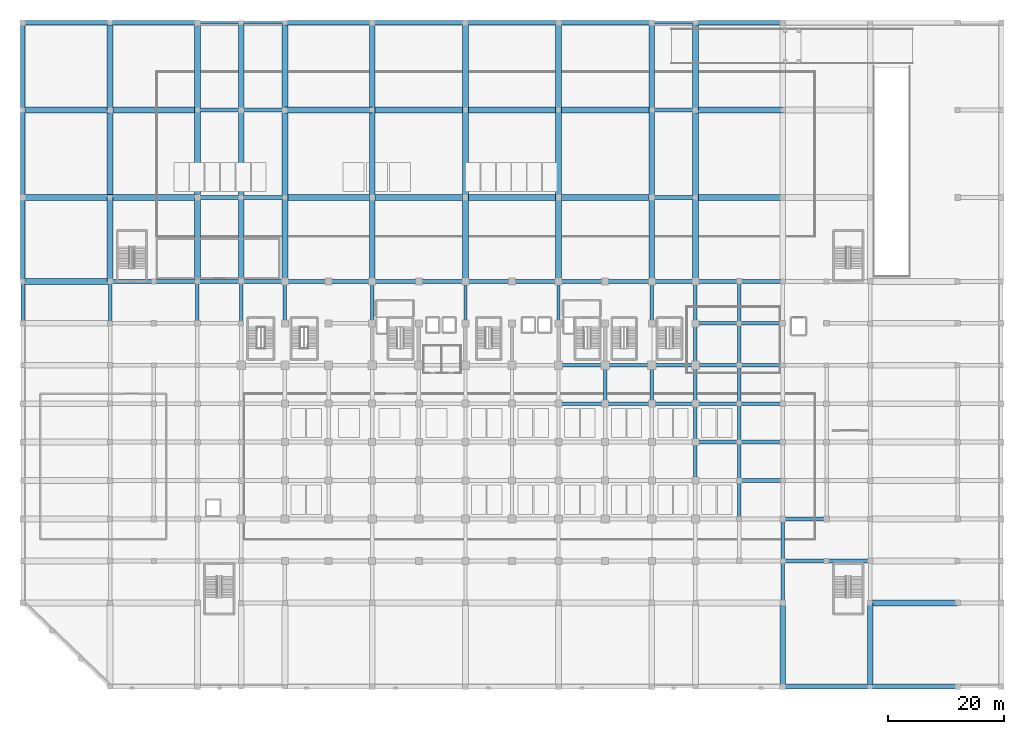
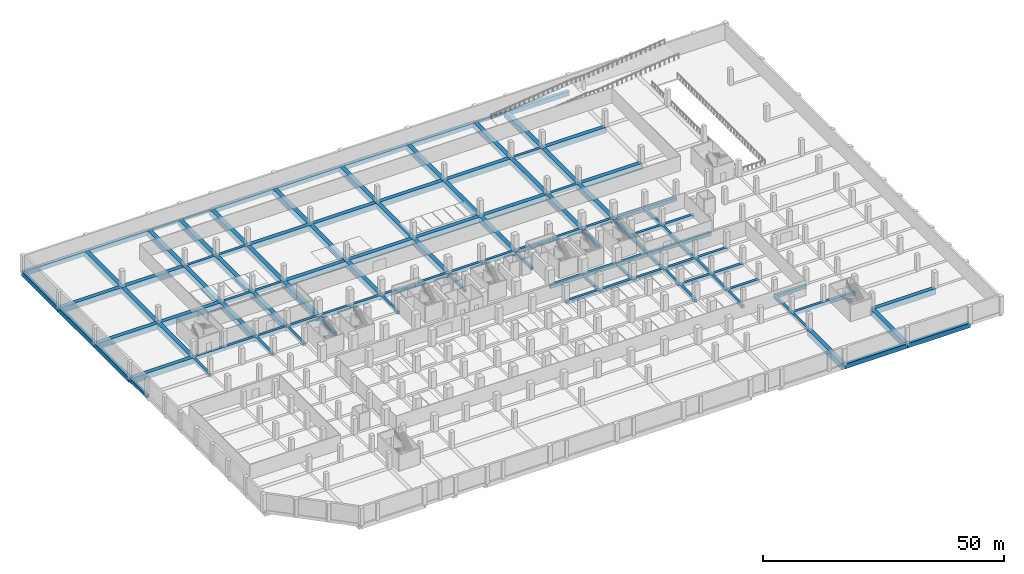
# One storey, part 4 of 25: 123 beams.
"""IFC4 building model written with IfcOpenShell, lengths in metres."""

import ifcopenshell
import ifcopenshell.guid

model = None  # the IFC model being written
_history = None  # IfcOwnerHistory: only IFC2X3 demands one
_inside = {}  # id of a spatial element -> (the spatial element, [elements in it])
_under = {}  # id of a project, library or spatial element -> (it, [spatial elements below it])
_declared = {}  # id of a project -> (the project, [libraries it declares])
_typed = {}  # id of a type object -> (the type object, [elements of that type])
_made_of = {}  # id of a material, layer set ... -> (it, [elements and type objects made of it])


def new_model(schema):
    """Start an empty IFC model of exactly this schema.

    Asked for "IFC4X3", IfcOpenShell would pick the latest addendum, in which some entities
    have other attributes; the version numbers below select the first issue.
    IFC2X3 requires an IfcOwnerHistory on every rooted entity: one is made here for all.
    """
    global model, _history
    if schema == "IFC4X3":
        model = ifcopenshell.file(schema_version=(4, 3, 0, 0))
    else:
        model = ifcopenshell.file(schema=schema)
    _inside.clear()
    _under.clear()
    _declared.clear()
    _typed.clear()
    _made_of.clear()
    _history = None
    if model.schema == "IFC2X3":
        org = make("IfcOrganization", Name="unknown")
        user = make(
            "IfcPersonAndOrganization",
            ThePerson=make("IfcPerson", FamilyName="unknown"),
            TheOrganization=org,
        )
        app = make(
            "IfcApplication",
            ApplicationDeveloper=org,
            Version="unknown",
            ApplicationFullName="unknown",
            ApplicationIdentifier="unknown",
        )
        _history = make(
            "IfcOwnerHistory",
            OwningUser=user,
            OwningApplication=app,
            ChangeAction="ADDED",
            CreationDate=0,
        )
    return model


def make(cls, **values):
    """One entity of the class cls with the attributes given. An attribute that is None is left unset."""
    return model.create_entity(
        cls, **{name: value for name, value in values.items() if value is not None}
    )


def rooted(cls, **values):
    """An entity with a GlobalId (a new one), such as an element, a storey or a relation."""
    return make(cls, GlobalId=ifcopenshell.guid.new(), OwnerHistory=_history, **values)


def si_unit(unit_type, name, prefix=None):
    """IfcSIUnit, for example si_unit("LENGTHUNIT", "METRE", prefix="MILLI")."""
    return make("IfcSIUnit", UnitType=unit_type, Prefix=prefix, Name=name)


def assignment(units):
    """IfcUnitAssignment: the units of a project."""
    return None if units is None else make("IfcUnitAssignment", Units=units)


def point(xyz):
    """IfcCartesianPoint."""
    return None if xyz is None else make("IfcCartesianPoint", Coordinates=xyz)


def direction(xyz):
    """IfcDirection."""
    return None if xyz is None else make("IfcDirection", DirectionRatios=xyz)


def frame(location, z_axis=None, x_axis=None):
    """IfcAxis2Placement3D, a coordinate frame: its origin and axes. An axis left out is left unset."""
    return make(
        "IfcAxis2Placement3D",
        Location=point(location),
        Axis=direction(z_axis),
        RefDirection=direction(x_axis),
    )


def frame_2d(location, x_axis=None):
    """IfcAxis2Placement2D, a coordinate frame in the plane: its origin and x axis."""
    return make(
        "IfcAxis2Placement2D", Location=point(location), RefDirection=direction(x_axis)
    )


def origin():
    """The frame at (0, 0, 0) with its axes left unset."""
    return frame((0.0, 0.0, 0.0))


def origin_2d():
    """The frame at (0, 0) in the plane with its x axis left unset."""
    return frame_2d((0.0, 0.0))


def place(relative_to, where):
    """IfcLocalPlacement: puts the frame where relative to a parent placement (None: the world)."""
    return make(
        "IfcLocalPlacement", PlacementRelTo=relative_to, RelativePlacement=where
    )


def context(
    kind, dimensions, precision=None, world=None, true_north=None, identifier=None
):
    """IfcGeometricRepresentationContext, for example the 3D "Model" context."""
    return make(
        "IfcGeometricRepresentationContext",
        ContextIdentifier=identifier,
        ContextType=kind,
        CoordinateSpaceDimension=dimensions,
        Precision=precision,
        WorldCoordinateSystem=world,
        TrueNorth=true_north,
    )


def subcontext(parent, identifier, kind, view, scale=None):
    """IfcGeometricRepresentationSubContext, for example "Body" below "Model"."""
    return make(
        "IfcGeometricRepresentationSubContext",
        ContextIdentifier=identifier,
        ContextType=kind,
        ParentContext=parent,
        TargetScale=scale,
        TargetView=view,
    )


def project(units=None, contexts=None):
    """IfcProject with its units and contexts."""
    return rooted(
        "IfcProject",
        Name="project",
        RepresentationContexts=contexts,
        UnitsInContext=assignment(units),
    )


def spatial(cls, under=None, at=None, **own):
    """A site, building, storey or space (cls), placed at a placement, below another one or the project."""
    s = rooted(cls, ObjectPlacement=at, **own)
    if under is not None:
        _under.setdefault(under.id(), (under, []))[1].append(s)
    return s


def profile(cls, at=None, kind="AREA", **sizes):
    """A parametric profile (cls). Its sizes go by their IFC names, for example OverallWidth=200.0."""
    return make(cls, ProfileType=kind, Position=at, **sizes)


def rectangle(**sizes):
    """IfcRectangleProfileDef."""
    return profile("IfcRectangleProfileDef", **sizes)


def extrude(swept, where, along, depth):
    """IfcExtrudedAreaSolid: the profile swept, set in the frame where, extruded along a direction by depth."""
    return make(
        "IfcExtrudedAreaSolid",
        SweptArea=swept,
        Position=where,
        ExtrudedDirection=direction(along),
        Depth=depth,
    )


def shape(context_of_items, identifier, shape_type, items):
    """IfcShapeRepresentation: the items that make up one representation, for example the "Body"."""
    return make(
        "IfcShapeRepresentation",
        ContextOfItems=context_of_items,
        RepresentationIdentifier=identifier,
        RepresentationType=shape_type,
        Items=items,
    )


def material(Name=None, Category=None):
    """IfcMaterial."""
    return make("IfcMaterial", Name=Name, Category=Category)


def material_profile(
    of_material, cross_section, Name=None, Category=None, Priority=None
):
    """IfcMaterialProfile: a cross section and its material."""
    return make(
        "IfcMaterialProfile",
        Name=Name,
        Material=of_material,
        Profile=cross_section,
        Priority=Priority,
        Category=Category,
    )


def profile_set(profiles, Name=None, composite=None):
    """IfcMaterialProfileSet."""
    return make(
        "IfcMaterialProfileSet",
        Name=Name,
        MaterialProfiles=profiles,
        CompositeProfile=composite,
    )


def made_of(thing, what):
    """Note that an element or type object is made of a material, layer set ...; save() writes the relation."""
    if what is not None:
        _made_of.setdefault(what.id(), (what, []))[1].append(thing)
    return thing


def type_object(cls, material=None, **own):
    """A type object (cls), such as IfcWallType, which elements share."""
    return made_of(rooted(cls, **own), material)


def element(
    cls,
    number,
    at=None,
    inside=None,
    cuts=None,
    type_object=None,
    material=None,
    context=None,
    identifier="Body",
    shape_type=None,
    held_by="IfcProductDefinitionShape",
    body=None,
    shapes=None,
    **own,
):
    """One element of the class cls, such as IfcWall. Its Tag is "e" and its number.

    at: its placement. inside: the storey or other place that contains it. cuts: it is an
    opening in that element (IfcRelVoidsElement). A single representation is given by context,
    identifier, shape_type and body (its items); several are given by shapes. held_by: the class
    of the entity that holds the representations. save() writes the other relations.
    """
    e = rooted(cls, Tag="e%d" % number, ObjectPlacement=at, **own)
    if body is not None:
        shapes = [shape(context, identifier, shape_type, body)]
    if shapes is not None:
        e.Representation = make(held_by, Representations=shapes)
    if inside is not None:
        _inside.setdefault(inside.id(), (inside, []))[1].append(e)
    if cuts is not None:
        rooted(
            "IfcRelVoidsElement", RelatingBuildingElement=cuts, RelatedOpeningElement=e
        )
    if type_object is not None:
        _typed.setdefault(type_object.id(), (type_object, []))[1].append(e)
    return made_of(e, material)


def aggregate(whole, parts):
    """IfcRelAggregates: a whole, such as a stair, and the parts it consists of."""
    return rooted("IfcRelAggregates", RelatingObject=whole, RelatedObjects=parts)


def save(model, path):
    """Write the relations noted so far, then the file.

    IfcRelAggregates (storeys below a building ...), IfcRelContainedInSpatialStructure (elements
    in a storey), IfcRelDefinesByType, IfcRelAssociatesMaterial and IfcRelDeclares: one each for
    every whole, place, type object, material and project.
    """
    for whole, parts in _under.values():
        aggregate(whole, parts)
    for where, things in _inside.values():
        rooted(
            "IfcRelContainedInSpatialStructure",
            RelatedElements=things,
            RelatingStructure=where,
        )
    for kind, things in _typed.values():
        rooted("IfcRelDefinesByType", RelatedObjects=things, RelatingType=kind)
    for what, things in _made_of.values():
        rooted("IfcRelAssociatesMaterial", RelatedObjects=things, RelatingMaterial=what)
    for by, libraries in _declared.values():
        rooted("IfcRelDeclares", RelatingContext=by, RelatedDefinitions=libraries)
    model.write(path)


model = new_model("IFC4")

# Units and contexts
model_context = context("Model", 3, precision=1e-05, world=origin(), true_north=direction((0.0, 1.0)))
body_context = subcontext(model_context, "Body", "Model", "MODEL_VIEW")
ifc_project = project(units=[si_unit("LENGTHUNIT", "METRE"), si_unit("AREAUNIT", "SQUARE_METRE"), si_unit("VOLUMEUNIT", "CUBIC_METRE"), si_unit("PLANEANGLEUNIT", "RADIAN"), si_unit("MASSUNIT", "GRAM", prefix="KILO")], contexts=[model_context])

# Site, building, storey
site_placement = place(None, origin())
site = spatial("IfcSite", under=ifc_project, at=site_placement, CompositionType="ELEMENT")
building_placement = place(site_placement, origin())
building = spatial("IfcBuilding", under=site, at=building_placement, Name="Akrevak Sports Hall", CompositionType="ELEMENT")
storey_placement = place(building_placement, frame((0.0, 0.0, -4.5)))
storey = spatial("IfcBuildingStorey", under=building, at=storey_placement, Name="B01", CompositionType="ELEMENT", Elevation=-4.5)

# Beams
ifc_material_1 = material(Name="Concrete C50/60", Category="concrete")
ifc_material_profile_1 = material_profile(ifc_material_1, rectangle(XDim=1.0, YDim=1.449951171875, at=origin_2d()), Name="BM 1000x1450", Category="concrete")
ifc_profile_set_1 = profile_set([ifc_material_profile_1], Name="Concrete C50/60")
beam_type_1 = type_object("IfcBeamType", Name="STR-BM-LG1000x1450", PredefinedType="BEAM", material=ifc_profile_set_1)
for number, where, z_axis, x_axis, name in (
    (1, (145.5, 14.39990234375, -0.72509765625), (1.0, 0.0, 0.0), (0.0, 1.0, 0.0), "Girder C/20-22 (B01)"),
    (2, (0.0, 69.60009765625, -0.72509765625), (1.0, 0.0, 0.0), (0.0, 1.0, 0.0), "Girder K/1-3 (B01)"),
    (3, (0.0, 84.0, -0.72509765625), (1.0, 0.0, 0.0), (0.0, 1.0, 0.0), "Girder M/1-3 (B01)"),
    (4, (15.0, 84.0, -0.72509765625), (1.0, 0.0, 0.0), (0.0, 1.0, 0.0), "Girder M/3-5 (B01)"),
    (5, (45.0, 84.0, -0.72509765625), (1.0, 0.0, 0.0), (0.0, 1.0, 0.0), "Girder M/7-9 (B01)"),
):
    element("IfcBeam", number, at=place(storey_placement, frame(where, z_axis=z_axis, x_axis=x_axis)), inside=storey, type_object=beam_type_1, Name=name, PredefinedType="BEAM", context=body_context, shape_type="SweptSolid", body=[
        extrude(rectangle(XDim=1.0, YDim=1.449951171875, at=origin_2d()), origin(), (0.0, 0.0, 1.0), 15.0),
    ])
for number, where, z_axis, x_axis, name in (
    (6, (60.0, 84.0, -0.72509765625), (1.0, 0.0, 0.0), (0.0, 1.0, 0.0), "Girder M/9-11 (B01)"),
    (7, (76.0, 84.0, -0.72509765625), (1.0, 0.0, 0.0), (0.0, 1.0, 0.0), "Girder M/11-13 (B01)"),
    (8, (92.0, 84.0, -0.72509765625), (1.0, 0.0, 0.0), (0.0, 1.0, 0.0), "Girder M/13-15 (B01)"),
):
    element("IfcBeam", number, at=place(storey_placement, frame(where, z_axis=z_axis, x_axis=x_axis)), inside=storey, type_object=beam_type_1, Name=name, PredefinedType="BEAM", context=body_context, shape_type="SweptSolid", body=[
        extrude(rectangle(XDim=1.0, YDim=1.449951171875, at=origin_2d()), origin(), (0.0, 0.0, 1.0), 16.0),
    ])
for number, where, z_axis, x_axis, name in (
    (9, (115.5, 84.0, -0.72509765625), (1.0, 0.0, 0.0), (0.0, 1.0, 0.0), "Girder M/16-18 (B01)"),
    (10, (0.0, 99.0, -0.72509765625), (1.0, 0.0, 0.0), (0.0, 1.0, 0.0), "Girder O/1-3 (B01)"),
    (11, (15.0, 99.0, -0.72509765625), (1.0, 0.0, 0.0), (0.0, 1.0, 0.0), "Girder O/3-5 (B01)"),
    (12, (45.0, 99.0, -0.72509765625), (1.0, 0.0, 0.0), (0.0, 1.0, 0.0), "Girder O/7-9 (B01)"),
):
    element("IfcBeam", number, at=place(storey_placement, frame(where, z_axis=z_axis, x_axis=x_axis)), inside=storey, type_object=beam_type_1, Name=name, PredefinedType="BEAM", context=body_context, shape_type="SweptSolid", body=[
        extrude(rectangle(XDim=1.0, YDim=1.449951171875, at=origin_2d()), origin(), (0.0, 0.0, 1.0), 15.0),
    ])
for number, where, z_axis, x_axis, name in (
    (13, (60.0, 99.0, -0.72509765625), (1.0, 0.0, 0.0), (0.0, 1.0, 0.0), "Girder O/9-11 (B01)"),
    (14, (76.0, 99.0, -0.72509765625), (1.0, 0.0, 0.0), (0.0, 1.0, 0.0), "Girder O/11-13 (B01)"),
    (15, (92.0, 99.0, -0.72509765625), (1.0, 0.0, 0.0), (0.0, 1.0, 0.0), "Girder O/13-15 (B01)"),
):
    element("IfcBeam", number, at=place(storey_placement, frame(where, z_axis=z_axis, x_axis=x_axis)), inside=storey, type_object=beam_type_1, Name=name, PredefinedType="BEAM", context=body_context, shape_type="SweptSolid", body=[
        extrude(rectangle(XDim=1.0, YDim=1.449951171875, at=origin_2d()), origin(), (0.0, 0.0, 1.0), 16.0),
    ])
beam_1_placement = place(storey_placement, frame((115.5, 99.0, -0.72509765625), z_axis=(1.0, 0.0, 0.0), x_axis=(0.0, 1.0, 0.0)))
element("IfcBeam", 16, at=beam_1_placement, inside=storey, type_object=beam_type_1, Name="Girder O/16-18 (B01)", PredefinedType="BEAM", context=body_context, shape_type="SweptSolid", body=[
    extrude(rectangle(XDim=1.0, YDim=1.449951171875, at=origin_2d()), origin(), (0.0, 0.0, 1.0), 15.0),
])
beam_2_placement = place(storey_placement, frame((15.0, 69.60009765625, -0.72509765625), z_axis=(0.0, 1.0, 0.0), x_axis=(-1.0, 0.0, 0.0)))
element("IfcBeam", 17, at=beam_2_placement, inside=storey, type_object=beam_type_1, Name="Girder 3/K-M (B01)", PredefinedType="BEAM", context=body_context, shape_type="SweptSolid", body=[
    extrude(rectangle(XDim=1.0, YDim=1.449951171875, at=origin_2d()), origin(), (0.0, 0.0, 1.0), 14.39990234375),
])
for number, where, z_axis, x_axis, name in (
    (18, (15.0, 84.0, -0.72509765625), (0.0, 1.0, 0.0), (-1.0, 0.0, 0.0), "Girder 3/M-O (B01)"),
    (19, (15.0, 99.0, -0.72509765625), (0.0, 1.0, 0.0), (-1.0, 0.0, 0.0), "Girder 3/O-Q (B01)"),
):
    element("IfcBeam", number, at=place(storey_placement, frame(where, z_axis=z_axis, x_axis=x_axis)), inside=storey, type_object=beam_type_1, Name=name, PredefinedType="BEAM", context=body_context, shape_type="SweptSolid", body=[
        extrude(rectangle(XDim=1.0, YDim=1.449951171875, at=origin_2d()), origin(), (0.0, 0.0, 1.0), 15.0),
    ])
beam_3_placement = place(storey_placement, frame((30.0, 69.60009765625, -0.72509765625), z_axis=(0.0, 1.0, 0.0), x_axis=(-1.0, 0.0, 0.0)))
element("IfcBeam", 20, at=beam_3_placement, inside=storey, type_object=beam_type_1, Name="Girder 5/K-M (B01)", PredefinedType="BEAM", context=body_context, shape_type="SweptSolid", body=[
    extrude(rectangle(XDim=1.0, YDim=1.449951171875, at=origin_2d()), origin(), (0.0, 0.0, 1.0), 14.39990234375),
])
for number, where, z_axis, x_axis, name in (
    (21, (30.0, 84.0, -0.72509765625), (0.0, 1.0, 0.0), (-1.0, 0.0, 0.0), "Girder 5/M-O (B01)"),
    (22, (30.0, 99.0, -0.72509765625), (0.0, 1.0, 0.0), (-1.0, 0.0, 0.0), "Girder 5/O-Q (B01)"),
):
    element("IfcBeam", number, at=place(storey_placement, frame(where, z_axis=z_axis, x_axis=x_axis)), inside=storey, type_object=beam_type_1, Name=name, PredefinedType="BEAM", context=body_context, shape_type="SweptSolid", body=[
        extrude(rectangle(XDim=1.0, YDim=1.449951171875, at=origin_2d()), origin(), (0.0, 0.0, 1.0), 15.0),
    ])
beam_4_placement = place(storey_placement, frame((37.5, 69.60009765625, -0.72509765625), z_axis=(0.0, 1.0, 0.0), x_axis=(-1.0, 0.0, 0.0)))
element("IfcBeam", 23, at=beam_4_placement, inside=storey, type_object=beam_type_1, Name="Girder 6/K-M (B01)", PredefinedType="BEAM", context=body_context, shape_type="SweptSolid", body=[
    extrude(rectangle(XDim=1.0, YDim=1.449951171875, at=origin_2d()), origin(), (0.0, 0.0, 1.0), 14.39990234375),
])
for number, where, z_axis, x_axis, name in (
    (24, (37.5, 84.0, -0.72509765625), (0.0, 1.0, 0.0), (-1.0, 0.0, 0.0), "Girder 6/M-O (B01)"),
    (25, (37.5, 99.0, -0.72509765625), (0.0, 1.0, 0.0), (-1.0, 0.0, 0.0), "Girder 6/O-Q (B01)"),
):
    element("IfcBeam", number, at=place(storey_placement, frame(where, z_axis=z_axis, x_axis=x_axis)), inside=storey, type_object=beam_type_1, Name=name, PredefinedType="BEAM", context=body_context, shape_type="SweptSolid", body=[
        extrude(rectangle(XDim=1.0, YDim=1.449951171875, at=origin_2d()), origin(), (0.0, 0.0, 1.0), 15.0),
    ])
beam_5_placement = place(storey_placement, frame((45.0, 69.60009765625, -0.72509765625), z_axis=(0.0, 1.0, 0.0), x_axis=(-1.0, 0.0, 0.0)))
element("IfcBeam", 26, at=beam_5_placement, inside=storey, type_object=beam_type_1, Name="Girder 7/K-M (B01)", PredefinedType="BEAM", context=body_context, shape_type="SweptSolid", body=[
    extrude(rectangle(XDim=1.0, YDim=1.449951171875, at=origin_2d()), origin(), (0.0, 0.0, 1.0), 14.39990234375),
])
for number, where, z_axis, x_axis, name in (
    (27, (45.0, 84.0, -0.72509765625), (0.0, 1.0, 0.0), (-1.0, 0.0, 0.0), "Girder 7/M-O (B01)"),
    (28, (45.0, 99.0, -0.72509765625), (0.0, 1.0, 0.0), (-1.0, 0.0, 0.0), "Girder 7/O-Q (B01)"),
):
    element("IfcBeam", number, at=place(storey_placement, frame(where, z_axis=z_axis, x_axis=x_axis)), inside=storey, type_object=beam_type_1, Name=name, PredefinedType="BEAM", context=body_context, shape_type="SweptSolid", body=[
        extrude(rectangle(XDim=1.0, YDim=1.449951171875, at=origin_2d()), origin(), (0.0, 0.0, 1.0), 15.0),
    ])
beam_6_placement = place(storey_placement, frame((60.0, 69.60009765625, -0.72509765625), z_axis=(0.0, 1.0, 0.0), x_axis=(-1.0, 0.0, 0.0)))
element("IfcBeam", 29, at=beam_6_placement, inside=storey, type_object=beam_type_1, Name="Girder 9/K-M (B01)", PredefinedType="BEAM", context=body_context, shape_type="SweptSolid", body=[
    extrude(rectangle(XDim=1.0, YDim=1.449951171875, at=origin_2d()), origin(), (0.0, 0.0, 1.0), 14.39990234375),
])
for number, where, z_axis, x_axis, name in (
    (30, (60.0, 84.0, -0.72509765625), (0.0, 1.0, 0.0), (-1.0, 0.0, 0.0), "Girder 9/M-O (B01)"),
    (31, (60.0, 99.0, -0.72509765625), (0.0, 1.0, 0.0), (-1.0, 0.0, 0.0), "Girder 9/O-Q (B01)"),
):
    element("IfcBeam", number, at=place(storey_placement, frame(where, z_axis=z_axis, x_axis=x_axis)), inside=storey, type_object=beam_type_1, Name=name, PredefinedType="BEAM", context=body_context, shape_type="SweptSolid", body=[
        extrude(rectangle(XDim=1.0, YDim=1.449951171875, at=origin_2d()), origin(), (0.0, 0.0, 1.0), 15.0),
    ])
beam_7_placement = place(storey_placement, frame((76.0, 69.60009765625, -0.72509765625), z_axis=(0.0, 1.0, 0.0), x_axis=(-1.0, 0.0, 0.0)))
element("IfcBeam", 32, at=beam_7_placement, inside=storey, type_object=beam_type_1, Name="Girder 11/K-M (B01)", PredefinedType="BEAM", context=body_context, shape_type="SweptSolid", body=[
    extrude(rectangle(XDim=1.0, YDim=1.449951171875, at=origin_2d()), origin(), (0.0, 0.0, 1.0), 14.39990234375),
])
for number, where, z_axis, x_axis, name in (
    (33, (76.0, 84.0, -0.72509765625), (0.0, 1.0, 0.0), (-1.0, 0.0, 0.0), "Girder 11/M-O (B01)"),
    (34, (76.0, 99.0, -0.72509765625), (0.0, 1.0, 0.0), (-1.0, 0.0, 0.0), "Girder 11/O-Q (B01)"),
):
    element("IfcBeam", number, at=place(storey_placement, frame(where, z_axis=z_axis, x_axis=x_axis)), inside=storey, type_object=beam_type_1, Name=name, PredefinedType="BEAM", context=body_context, shape_type="SweptSolid", body=[
        extrude(rectangle(XDim=1.0, YDim=1.449951171875, at=origin_2d()), origin(), (0.0, 0.0, 1.0), 15.0),
    ])
beam_8_placement = place(storey_placement, frame((92.0, 69.60009765625, -0.72509765625), z_axis=(0.0, 1.0, 0.0), x_axis=(-1.0, 0.0, 0.0)))
element("IfcBeam", 35, at=beam_8_placement, inside=storey, type_object=beam_type_1, Name="Girder 13/K-M (B01)", PredefinedType="BEAM", context=body_context, shape_type="SweptSolid", body=[
    extrude(rectangle(XDim=1.0, YDim=1.449951171875, at=origin_2d()), origin(), (0.0, 0.0, 1.0), 14.39990234375),
])
for number, where, z_axis, x_axis, name in (
    (36, (92.0, 84.0, -0.72509765625), (0.0, 1.0, 0.0), (-1.0, 0.0, 0.0), "Girder 13/M-O (B01)"),
    (37, (92.0, 99.0, -0.72509765625), (0.0, 1.0, 0.0), (-1.0, 0.0, 0.0), "Girder 13/O-Q (B01)"),
):
    element("IfcBeam", number, at=place(storey_placement, frame(where, z_axis=z_axis, x_axis=x_axis)), inside=storey, type_object=beam_type_1, Name=name, PredefinedType="BEAM", context=body_context, shape_type="SweptSolid", body=[
        extrude(rectangle(XDim=1.0, YDim=1.449951171875, at=origin_2d()), origin(), (0.0, 0.0, 1.0), 15.0),
    ])
beam_9_placement = place(storey_placement, frame((108.0, 69.60009765625, -0.72509765625), z_axis=(0.0, 1.0, 0.0), x_axis=(-1.0, 0.0, 0.0)))
element("IfcBeam", 38, at=beam_9_placement, inside=storey, type_object=beam_type_1, Name="Girder 15/K-M (B01)", PredefinedType="BEAM", context=body_context, shape_type="SweptSolid", body=[
    extrude(rectangle(XDim=1.0, YDim=1.449951171875, at=origin_2d()), origin(), (0.0, 0.0, 1.0), 14.39990234375),
])
for number, where, z_axis, x_axis, name in (
    (39, (108.0, 84.0, -0.72509765625), (0.0, 1.0, 0.0), (-1.0, 0.0, 0.0), "Girder 15/M-O (B01)"),
    (40, (108.0, 99.0, -0.72509765625), (0.0, 1.0, 0.0), (-1.0, 0.0, 0.0), "Girder 15/O-Q (B01)"),
):
    element("IfcBeam", number, at=place(storey_placement, frame(where, z_axis=z_axis, x_axis=x_axis)), inside=storey, type_object=beam_type_1, Name=name, PredefinedType="BEAM", context=body_context, shape_type="SweptSolid", body=[
        extrude(rectangle(XDim=1.0, YDim=1.449951171875, at=origin_2d()), origin(), (0.0, 0.0, 1.0), 15.0),
    ])
beam_10_placement = place(storey_placement, frame((115.5, 69.60009765625, -0.72509765625), z_axis=(0.0, 1.0, 0.0), x_axis=(-1.0, 0.0, 0.0)))
element("IfcBeam", 41, at=beam_10_placement, inside=storey, type_object=beam_type_1, Name="Girder 16/K-M (B01)", PredefinedType="BEAM", context=body_context, shape_type="SweptSolid", body=[
    extrude(rectangle(XDim=1.0, YDim=1.449951171875, at=origin_2d()), origin(), (0.0, 0.0, 1.0), 14.39990234375),
])
for number, where, z_axis, x_axis, name in (
    (42, (115.5, 84.0, -0.72509765625), (0.0, 1.0, 0.0), (-1.0, 0.0, 0.0), "Girder 16/M-O (B01)"),
    (43, (115.5, 99.0, -0.72509765625), (0.0, 1.0, 0.0), (-1.0, 0.0, 0.0), "Girder 16/O-Q (B01)"),
):
    element("IfcBeam", number, at=place(storey_placement, frame(where, z_axis=z_axis, x_axis=x_axis)), inside=storey, type_object=beam_type_1, Name=name, PredefinedType="BEAM", context=body_context, shape_type="SweptSolid", body=[
        extrude(rectangle(XDim=1.0, YDim=1.449951171875, at=origin_2d()), origin(), (0.0, 0.0, 1.0), 15.0),
    ])
for number, where, z_axis, x_axis, name in (
    (44, (130.5, 0.0, -0.72509765625), (0.0, 1.0, 0.0), (-1.0, 0.0, 0.0), "Girder 18/A-C (B01)"),
    (45, (145.5, 0.0, -0.72509765625), (0.0, 1.0, 0.0), (-1.0, 0.0, 0.0), "Girder 20/A-C (B01)"),
):
    element("IfcBeam", number, at=place(storey_placement, frame(where, z_axis=z_axis, x_axis=x_axis)), inside=storey, type_object=beam_type_1, Name=name, PredefinedType="BEAM", context=body_context, shape_type="SweptSolid", body=[
        extrude(rectangle(XDim=1.0, YDim=1.449951171875, at=origin_2d()), origin(), (0.0, 0.0, 1.0), 14.39990234375),
    ])
ifc_material_2 = material(Name="Concrete C40/50", Category="concrete")
ifc_material_profile_2 = material_profile(ifc_material_2, rectangle(XDim=0.60009765625, YDim=0.85009765625, at=origin_2d()), Name="BM 600x850", Category="concrete")
ifc_profile_set_2 = profile_set([ifc_material_profile_2], Name="Concrete C40/50")
beam_type_2 = type_object("IfcBeamType", Name="STR-BM-RC600x850", PredefinedType="BEAM", material=ifc_profile_set_2)
for number, where, z_axis, x_axis, name in (
    (46, (0.0, 62.39990234375, -0.425048828125), (0.0, 1.0, 0.0), (-1.0, 0.0, 0.0), "Girder 1/J-K (B01)"),
    (47, (15.0, 62.39990234375, -0.425048828125), (0.0, 1.0, 0.0), (-1.0, 0.0, 0.0), "Girder 3/J-K (B01)"),
    (48, (30.0, 62.39990234375, -0.425048828125), (0.0, 1.0, 0.0), (-1.0, 0.0, 0.0), "Girder 5/J-K (B01)"),
    (49, (37.5, 62.39990234375, -0.425048828125), (0.0, 1.0, 0.0), (-1.0, 0.0, 0.0), "Girder 6/J-K (B01)"),
    (50, (45.0, 62.39990234375, -0.425048828125), (0.0, 1.0, 0.0), (-1.0, 0.0, 0.0), "Girder 7/J-K (B01)"),
):
    element("IfcBeam", number, at=place(storey_placement, frame(where, z_axis=z_axis, x_axis=x_axis)), inside=storey, type_object=beam_type_2, Name=name, PredefinedType="BEAM", context=body_context, shape_type="SweptSolid", body=[
        extrude(rectangle(XDim=0.60009765625, YDim=0.85009765625, at=origin_2d()), origin(), (0.0, 0.0, 1.0), 7.2001953125),
    ])
for number, where, z_axis, x_axis, name in (
    (51, (115.5, 35.39990234375, -0.425048828125), (0.0, 1.0, 0.0), (-1.0, 0.0, 0.0), "Girder 16/F-G (B01)"),
    (52, (115.5, 42.0, -0.425048828125), (0.0, 1.0, 0.0), (-1.0, 0.0, 0.0), "Girder 16/G-H (B01)"),
):
    element("IfcBeam", number, at=place(storey_placement, frame(where, z_axis=z_axis, x_axis=x_axis)), inside=storey, type_object=beam_type_2, Name=name, PredefinedType="BEAM", context=body_context, shape_type="SweptSolid", body=[
        extrude(rectangle(XDim=0.60009765625, YDim=0.85009765625, at=origin_2d()), origin(), (0.0, 0.0, 1.0), 6.60009765625),
    ])
beam_11_placement = place(storey_placement, frame((115.5, 48.60009765625, -0.425048828125), z_axis=(0.0, 1.0, 0.0), x_axis=(-1.0, 0.0, 0.0)))
element("IfcBeam", 53, at=beam_11_placement, inside=storey, type_object=beam_type_2, Name="Girder 16/H-I (B01)", PredefinedType="BEAM", context=body_context, shape_type="SweptSolid", body=[
    extrude(rectangle(XDim=0.60009765625, YDim=0.85009765625, at=origin_2d()), origin(), (0.0, 0.0, 1.0), 6.599853515625),
])
beam_12_placement = place(storey_placement, frame((115.5, 55.199951171875, -0.425048828125), z_axis=(0.0, 1.0, 0.0), x_axis=(-1.0, 0.0, 0.0)))
element("IfcBeam", 54, at=beam_12_placement, inside=storey, type_object=beam_type_2, Name="Girder 16/I-J (B01)", PredefinedType="BEAM", context=body_context, shape_type="SweptSolid", body=[
    extrude(rectangle(XDim=0.60009765625, YDim=0.85009765625, at=origin_2d()), origin(), (0.0, 0.0, 1.0), 7.199951171875),
])
beam_13_placement = place(storey_placement, frame((115.5, 62.39990234375, -0.425048828125), z_axis=(0.0, 1.0, 0.0), x_axis=(-1.0, 0.0, 0.0)))
element("IfcBeam", 55, at=beam_13_placement, inside=storey, type_object=beam_type_2, Name="Girder 16/J-K (B01)", PredefinedType="BEAM", context=body_context, shape_type="SweptSolid", body=[
    extrude(rectangle(XDim=0.60009765625, YDim=0.85009765625, at=origin_2d()), origin(), (0.0, 0.0, 1.0), 7.2001953125),
])
beam_14_placement = place(storey_placement, frame((123.0, 28.800048828125, -0.425048828125), z_axis=(0.0, 1.0, 0.0), x_axis=(-1.0, 0.0, 0.0)))
element("IfcBeam", 56, at=beam_14_placement, inside=storey, type_object=beam_type_2, Name="Girder 17/E-F (B01)", PredefinedType="BEAM", context=body_context, shape_type="SweptSolid", body=[
    extrude(rectangle(XDim=0.60009765625, YDim=0.85009765625, at=origin_2d()), origin(), (0.0, 0.0, 1.0), 6.599853515625),
])
for number, where, z_axis, x_axis, name in (
    (57, (123.0, 35.39990234375, -0.425048828125), (0.0, 1.0, 0.0), (-1.0, 0.0, 0.0), "Girder 17/F-G (B01)"),
    (58, (123.0, 42.0, -0.425048828125), (0.0, 1.0, 0.0), (-1.0, 0.0, 0.0), "Girder 17/G-H (B01)"),
):
    element("IfcBeam", number, at=place(storey_placement, frame(where, z_axis=z_axis, x_axis=x_axis)), inside=storey, type_object=beam_type_2, Name=name, PredefinedType="BEAM", context=body_context, shape_type="SweptSolid", body=[
        extrude(rectangle(XDim=0.60009765625, YDim=0.85009765625, at=origin_2d()), origin(), (0.0, 0.0, 1.0), 6.60009765625),
    ])
beam_15_placement = place(storey_placement, frame((123.0, 48.60009765625, -0.425048828125), z_axis=(0.0, 1.0, 0.0), x_axis=(-1.0, 0.0, 0.0)))
element("IfcBeam", 59, at=beam_15_placement, inside=storey, type_object=beam_type_2, Name="Girder 17/H-I (B01)", PredefinedType="BEAM", context=body_context, shape_type="SweptSolid", body=[
    extrude(rectangle(XDim=0.60009765625, YDim=0.85009765625, at=origin_2d()), origin(), (0.0, 0.0, 1.0), 6.599853515625),
])
beam_16_placement = place(storey_placement, frame((123.0, 55.199951171875, -0.425048828125), z_axis=(0.0, 1.0, 0.0), x_axis=(-1.0, 0.0, 0.0)))
element("IfcBeam", 60, at=beam_16_placement, inside=storey, type_object=beam_type_2, Name="Girder 17/I-J (B01)", PredefinedType="BEAM", context=body_context, shape_type="SweptSolid", body=[
    extrude(rectangle(XDim=0.60009765625, YDim=0.85009765625, at=origin_2d()), origin(), (0.0, 0.0, 1.0), 7.199951171875),
])
for number, where, z_axis, x_axis, name in (
    (61, (123.0, 62.39990234375, -0.425048828125), (0.0, 1.0, 0.0), (-1.0, 0.0, 0.0), "Girder 17/J-K (B01)"),
    (62, (130.5, 14.39990234375, -0.425048828125), (0.0, 1.0, 0.0), (-1.0, 0.0, 0.0), "Girder 18/C-D (B01)"),
):
    element("IfcBeam", number, at=place(storey_placement, frame(where, z_axis=z_axis, x_axis=x_axis)), inside=storey, type_object=beam_type_2, Name=name, PredefinedType="BEAM", context=body_context, shape_type="SweptSolid", body=[
        extrude(rectangle(XDim=0.60009765625, YDim=0.85009765625, at=origin_2d()), origin(), (0.0, 0.0, 1.0), 7.2001953125),
    ])
beam_17_placement = place(storey_placement, frame((130.5, 21.60009765625, -0.425048828125), z_axis=(0.0, 1.0, 0.0), x_axis=(-1.0, 0.0, 0.0)))
element("IfcBeam", 63, at=beam_17_placement, inside=storey, type_object=beam_type_2, Name="Girder 18/D-E (B01)", PredefinedType="BEAM", context=body_context, shape_type="SweptSolid", body=[
    extrude(rectangle(XDim=0.60009765625, YDim=0.85009765625, at=origin_2d()), origin(), (0.0, 0.0, 1.0), 7.199951171875),
])
ifc_material_profile_3 = material_profile(ifc_material_2, rectangle(XDim=0.64990234375, YDim=0.89990234375, at=origin_2d()), Name="BM 650x900", Category="concrete")
ifc_profile_set_3 = profile_set([ifc_material_profile_3], Name="Concrete C40/50")
beam_type_3 = type_object("IfcBeamType", Name="STR-BM-RC650x900", PredefinedType="BEAM", material=ifc_profile_set_3)
for number, where, z_axis, x_axis, name in (
    (64, (130.5, 21.60009765625, -0.449951171875), (1.0, 0.0, 0.0), (0.0, 1.0, 0.0), "Girder D/18-19 (B01)"),
    (65, (138.0, 21.60009765625, -0.449951171875), (1.0, 0.0, 0.0), (0.0, 1.0, 0.0), "Girder D/19-20 (B01)"),
    (66, (130.5, 28.800048828125, -0.449951171875), (1.0, 0.0, 0.0), (0.0, 1.0, 0.0), "Girder E/18-19 (B01)"),
    (67, (123.0, 35.39990234375, -0.449951171875), (1.0, 0.0, 0.0), (0.0, 1.0, 0.0), "Girder F/17-18 (B01)"),
    (68, (115.5, 42.0, -0.449951171875), (1.0, 0.0, 0.0), (0.0, 1.0, 0.0), "Girder G/16-17 (B01)"),
    (69, (123.0, 42.0, -0.449951171875), (1.0, 0.0, 0.0), (0.0, 1.0, 0.0), "Girder G/17-18 (B01)"),
):
    element("IfcBeam", number, at=place(storey_placement, frame(where, z_axis=z_axis, x_axis=x_axis)), inside=storey, type_object=beam_type_3, Name=name, PredefinedType="BEAM", context=body_context, shape_type="SweptSolid", body=[
        extrude(rectangle(XDim=0.64990234375, YDim=0.89990234375, at=origin_2d()), origin(), (0.0, 0.0, 1.0), 7.5),
    ])
for number, where, z_axis, x_axis, name in (
    (70, (92.0, 48.60009765625, -0.449951171875), (1.0, 0.0, 0.0), (0.0, 1.0, 0.0), "Girder H/13-14 (B01)"),
    (71, (100.0, 48.60009765625, -0.449951171875), (1.0, 0.0, 0.0), (0.0, 1.0, 0.0), "Girder H/14-15 (B01)"),
):
    element("IfcBeam", number, at=place(storey_placement, frame(where, z_axis=z_axis, x_axis=x_axis)), inside=storey, type_object=beam_type_3, Name=name, PredefinedType="BEAM", context=body_context, shape_type="SweptSolid", body=[
        extrude(rectangle(XDim=0.64990234375, YDim=0.89990234375, at=origin_2d()), origin(), (0.0, 0.0, 1.0), 8.0),
    ])
for number, where, z_axis, x_axis, name in (
    (72, (108.0, 48.60009765625, -0.449951171875), (1.0, 0.0, 0.0), (0.0, 1.0, 0.0), "Girder H/15-16 (B01)"),
    (73, (115.5, 48.60009765625, -0.449951171875), (1.0, 0.0, 0.0), (0.0, 1.0, 0.0), "Girder H/16-17 (B01)"),
    (74, (123.0, 48.60009765625, -0.449951171875), (1.0, 0.0, 0.0), (0.0, 1.0, 0.0), "Girder H/17-18 (B01)"),
):
    element("IfcBeam", number, at=place(storey_placement, frame(where, z_axis=z_axis, x_axis=x_axis)), inside=storey, type_object=beam_type_3, Name=name, PredefinedType="BEAM", context=body_context, shape_type="SweptSolid", body=[
        extrude(rectangle(XDim=0.64990234375, YDim=0.89990234375, at=origin_2d()), origin(), (0.0, 0.0, 1.0), 7.5),
    ])
for number, where, z_axis, x_axis, name in (
    (75, (92.0, 55.199951171875, -0.449951171875), (1.0, 0.0, 0.0), (0.0, 1.0, 0.0), "Girder I/13-14 (B01)"),
    (76, (100.0, 55.199951171875, -0.449951171875), (1.0, 0.0, 0.0), (0.0, 1.0, 0.0), "Girder I/14-15 (B01)"),
):
    element("IfcBeam", number, at=place(storey_placement, frame(where, z_axis=z_axis, x_axis=x_axis)), inside=storey, type_object=beam_type_3, Name=name, PredefinedType="BEAM", context=body_context, shape_type="SweptSolid", body=[
        extrude(rectangle(XDim=0.64990234375, YDim=0.89990234375, at=origin_2d()), origin(), (0.0, 0.0, 1.0), 8.0),
    ])
for number, where, z_axis, x_axis, name in (
    (77, (108.0, 55.199951171875, -0.449951171875), (1.0, 0.0, 0.0), (0.0, 1.0, 0.0), "Girder I/15-16 (B01)"),
    (78, (115.5, 55.199951171875, -0.449951171875), (1.0, 0.0, 0.0), (0.0, 1.0, 0.0), "Girder I/16-17 (B01)"),
    (79, (123.0, 55.199951171875, -0.449951171875), (1.0, 0.0, 0.0), (0.0, 1.0, 0.0), "Girder I/17-18 (B01)"),
    (80, (115.5, 62.39990234375, -0.449951171875), (1.0, 0.0, 0.0), (0.0, 1.0, 0.0), "Girder J/16-17 (B01)"),
    (81, (123.0, 62.39990234375, -0.449951171875), (1.0, 0.0, 0.0), (0.0, 1.0, 0.0), "Girder J/17-18 (B01)"),
    (82, (15.0, 69.60009765625, -0.449951171875), (1.0, 0.0, 0.0), (0.0, 1.0, 0.0), "Girder K/3-4 (B01)"),
    (83, (22.5, 69.60009765625, -0.449951171875), (1.0, 0.0, 0.0), (0.0, 1.0, 0.0), "Girder K/4-5 (B01)"),
    (84, (30.0, 69.60009765625, -0.449951171875), (1.0, 0.0, 0.0), (0.0, 1.0, 0.0), "Girder K/5-6 (B01)"),
    (85, (37.5, 69.60009765625, -0.449951171875), (1.0, 0.0, 0.0), (0.0, 1.0, 0.0), "Girder K/6-7 (B01)"),
    (86, (45.0, 69.60009765625, -0.449951171875), (1.0, 0.0, 0.0), (0.0, 1.0, 0.0), "Girder K/7-8 (B01)"),
    (87, (52.5, 69.60009765625, -0.449951171875), (1.0, 0.0, 0.0), (0.0, 1.0, 0.0), "Girder K/8-9 (B01)"),
):
    element("IfcBeam", number, at=place(storey_placement, frame(where, z_axis=z_axis, x_axis=x_axis)), inside=storey, type_object=beam_type_3, Name=name, PredefinedType="BEAM", context=body_context, shape_type="SweptSolid", body=[
        extrude(rectangle(XDim=0.64990234375, YDim=0.89990234375, at=origin_2d()), origin(), (0.0, 0.0, 1.0), 7.5),
    ])
for number, where, z_axis, x_axis, name in (
    (88, (60.0, 69.60009765625, -0.449951171875), (1.0, 0.0, 0.0), (0.0, 1.0, 0.0), "Girder K/9-10 (B01)"),
    (89, (68.0, 69.60009765625, -0.449951171875), (1.0, 0.0, 0.0), (0.0, 1.0, 0.0), "Girder K/10-11 (B01)"),
    (90, (76.0, 69.60009765625, -0.449951171875), (1.0, 0.0, 0.0), (0.0, 1.0, 0.0), "Girder K/11-12 (B01)"),
    (91, (84.0, 69.60009765625, -0.449951171875), (1.0, 0.0, 0.0), (0.0, 1.0, 0.0), "Girder K/12-13 (B01)"),
    (92, (92.0, 69.60009765625, -0.449951171875), (1.0, 0.0, 0.0), (0.0, 1.0, 0.0), "Girder K/13-14 (B01)"),
    (93, (100.0, 69.60009765625, -0.449951171875), (1.0, 0.0, 0.0), (0.0, 1.0, 0.0), "Girder K/14-15 (B01)"),
):
    element("IfcBeam", number, at=place(storey_placement, frame(where, z_axis=z_axis, x_axis=x_axis)), inside=storey, type_object=beam_type_3, Name=name, PredefinedType="BEAM", context=body_context, shape_type="SweptSolid", body=[
        extrude(rectangle(XDim=0.64990234375, YDim=0.89990234375, at=origin_2d()), origin(), (0.0, 0.0, 1.0), 8.0),
    ])
for number, where, z_axis, x_axis, name in (
    (94, (108.0, 69.60009765625, -0.449951171875), (1.0, 0.0, 0.0), (0.0, 1.0, 0.0), "Girder K/15-16 (B01)"),
    (95, (115.5, 69.60009765625, -0.449951171875), (1.0, 0.0, 0.0), (0.0, 1.0, 0.0), "Girder K/16-17 (B01)"),
    (96, (123.0, 69.60009765625, -0.449951171875), (1.0, 0.0, 0.0), (0.0, 1.0, 0.0), "Girder K/17-18 (B01)"),
    (97, (30.0, 84.0, -0.449951171875), (1.0, 0.0, 0.0), (0.0, 1.0, 0.0), "Girder M/5-6 (B01)"),
    (98, (37.5, 84.0, -0.449951171875), (1.0, 0.0, 0.0), (0.0, 1.0, 0.0), "Girder M/6-7 (B01)"),
    (99, (108.0, 84.0, -0.449951171875), (1.0, 0.0, 0.0), (0.0, 1.0, 0.0), "Girder M/15-16 (B01)"),
    (100, (30.0, 99.0, -0.449951171875), (1.0, 0.0, 0.0), (0.0, 1.0, 0.0), "Girder O/5-6 (B01)"),
    (101, (37.5, 99.0, -0.449951171875), (1.0, 0.0, 0.0), (0.0, 1.0, 0.0), "Girder O/6-7 (B01)"),
    (102, (108.0, 99.0, -0.449951171875), (1.0, 0.0, 0.0), (0.0, 1.0, 0.0), "Girder O/15-16 (B01)"),
):
    element("IfcBeam", number, at=place(storey_placement, frame(where, z_axis=z_axis, x_axis=x_axis)), inside=storey, type_object=beam_type_3, Name=name, PredefinedType="BEAM", context=body_context, shape_type="SweptSolid", body=[
        extrude(rectangle(XDim=0.64990234375, YDim=0.89990234375, at=origin_2d()), origin(), (0.0, 0.0, 1.0), 7.5),
    ])
ifc_material_profile_4 = material_profile(ifc_material_1, rectangle(XDim=0.75, YDim=1.14990234375, at=origin_2d()), Name="SPD 750x1150", Category="concrete")
ifc_profile_set_4 = profile_set([ifc_material_profile_4], Name="Concrete C50/60")
beam_type_4 = type_object("IfcBeamType", Name="STR-SPD-LSP750x1150", PredefinedType="SPANDREL", material=ifc_profile_set_4)
for number, where, z_axis, x_axis, name in (
    (103, (130.5, 0.0, -0.574951171875), (1.0, 0.0, 0.0), (0.0, 1.0, 0.0), "Girder A/18-20 (B01)"),
    (104, (145.5, 0.0, -0.574951171875), (1.0, 0.0, 0.0), (0.0, 1.0, 0.0), "Girder A/20-22 (B01)"),
    (105, (0.0, 114.0, -0.574951171875), (1.0, 0.0, 0.0), (0.0, 1.0, 0.0), "Girder Q/1-3 (B01)"),
    (106, (15.0, 114.0, -0.574951171875), (1.0, 0.0, 0.0), (0.0, 1.0, 0.0), "Girder Q/3-5 (B01)"),
    (107, (45.0, 114.0, -0.574951171875), (1.0, 0.0, 0.0), (0.0, 1.0, 0.0), "Girder Q/7-9 (B01)"),
):
    element("IfcBeam", number, at=place(storey_placement, frame(where, z_axis=z_axis, x_axis=x_axis)), inside=storey, type_object=beam_type_4, Name=name, PredefinedType="SPANDREL", context=body_context, shape_type="SweptSolid", body=[
        extrude(rectangle(XDim=0.75, YDim=1.14990234375, at=origin_2d()), origin(), (0.0, 0.0, 1.0), 15.0),
    ])
for number, where, z_axis, x_axis, name in (
    (108, (60.0, 114.0, -0.574951171875), (1.0, 0.0, 0.0), (0.0, 1.0, 0.0), "Girder Q/9-11 (B01)"),
    (109, (76.0, 114.0, -0.574951171875), (1.0, 0.0, 0.0), (0.0, 1.0, 0.0), "Girder Q/11-13 (B01)"),
    (110, (92.0, 114.0, -0.574951171875), (1.0, 0.0, 0.0), (0.0, 1.0, 0.0), "Girder Q/13-15 (B01)"),
):
    element("IfcBeam", number, at=place(storey_placement, frame(where, z_axis=z_axis, x_axis=x_axis)), inside=storey, type_object=beam_type_4, Name=name, PredefinedType="SPANDREL", context=body_context, shape_type="SweptSolid", body=[
        extrude(rectangle(XDim=0.75, YDim=1.14990234375, at=origin_2d()), origin(), (0.0, 0.0, 1.0), 16.0),
    ])
beam_18_placement = place(storey_placement, frame((115.5, 114.0, -0.574951171875), z_axis=(1.0, 0.0, 0.0), x_axis=(0.0, 1.0, 0.0)))
element("IfcBeam", 111, at=beam_18_placement, inside=storey, type_object=beam_type_4, Name="Girder Q/16-18 (B01)", PredefinedType="SPANDREL", context=body_context, shape_type="SweptSolid", body=[
    extrude(rectangle(XDim=0.75, YDim=1.14990234375, at=origin_2d()), origin(), (0.0, 0.0, 1.0), 15.0),
])
beam_19_placement = place(storey_placement, frame((0.0, 69.60009765625, -0.574951171875), z_axis=(0.0, 1.0, 0.0), x_axis=(-1.0, 0.0, 0.0)))
element("IfcBeam", 112, at=beam_19_placement, inside=storey, type_object=beam_type_4, Name="Girder 1/K-M (B01)", PredefinedType="SPANDREL", context=body_context, shape_type="SweptSolid", body=[
    extrude(rectangle(XDim=0.75, YDim=1.14990234375, at=origin_2d()), origin(), (0.0, 0.0, 1.0), 14.39990234375),
])
for number, where, z_axis, x_axis, name in (
    (113, (0.0, 84.0, -0.574951171875), (0.0, 1.0, 0.0), (-1.0, 0.0, 0.0), "Girder 1/M-O (B01)"),
    (114, (0.0, 99.0, -0.574951171875), (0.0, 1.0, 0.0), (-1.0, 0.0, 0.0), "Girder 1/O-Q (B01)"),
):
    element("IfcBeam", number, at=place(storey_placement, frame(where, z_axis=z_axis, x_axis=x_axis)), inside=storey, type_object=beam_type_4, Name=name, PredefinedType="SPANDREL", context=body_context, shape_type="SweptSolid", body=[
        extrude(rectangle(XDim=0.75, YDim=1.14990234375, at=origin_2d()), origin(), (0.0, 0.0, 1.0), 15.0),
    ])
ifc_material_profile_5 = material_profile(ifc_material_2, rectangle(XDim=0.35009765625, YDim=0.75, at=origin_2d()), Name="SPD 350x750", Category="concrete")
ifc_profile_set_5 = profile_set([ifc_material_profile_5], Name="Concrete C40/50")
beam_type_5 = type_object("IfcBeamType", Name="STR-SPD-RC350x750", PredefinedType="SPANDREL", material=ifc_profile_set_5)
for number, where, z_axis, x_axis, name in (
    (115, (30.0, 114.0, -0.375), (1.0, 0.0, 0.0), (0.0, 1.0, 0.0), "Girder Q/5-6 (B01)"),
    (116, (37.5, 114.0, -0.375), (1.0, 0.0, 0.0), (0.0, 1.0, 0.0), "Girder Q/6-7 (B01)"),
    (117, (108.0, 114.0, -0.375), (1.0, 0.0, 0.0), (0.0, 1.0, 0.0), "Girder Q/15-16 (B01)"),
):
    element("IfcBeam", number, at=place(storey_placement, frame(where, z_axis=z_axis, x_axis=x_axis)), inside=storey, type_object=beam_type_5, Name=name, PredefinedType="SPANDREL", context=body_context, shape_type="SweptSolid", body=[
        extrude(rectangle(XDim=0.35009765625, YDim=0.75, at=origin_2d()), origin(), (0.0, 0.0, 1.0), 7.5),
    ])
ifc_material_profile_6 = material_profile(ifc_material_2, rectangle(XDim=0.550048828125, YDim=0.719970703125, at=origin_2d()), Name="TBM 550x720", Category="concrete")
ifc_profile_set_6 = profile_set([ifc_material_profile_6], Name="Concrete C40/50")
beam_type_6 = type_object("IfcBeamType", Name="STR-TBM-RC550x720", PredefinedType="T_BEAM", material=ifc_profile_set_6)
for number, where, z_axis, x_axis, name in (
    (118, (60.0, 62.39990234375, -0.360107421875), (0.0, 1.0, 0.0), (-1.0, 0.0, 0.0), "Girder 9/J-K (B01)"),
    (119, (76.0, 62.39990234375, -0.360107421875), (0.0, 1.0, 0.0), (-1.0, 0.0, 0.0), "Girder 11/J-K (B01)"),
    (120, (92.0, 62.39990234375, -0.360107421875), (0.0, 1.0, 0.0), (-1.0, 0.0, 0.0), "Girder 13/J-K (B01)"),
):
    element("IfcBeam", number, at=place(storey_placement, frame(where, z_axis=z_axis, x_axis=x_axis)), inside=storey, type_object=beam_type_6, Name=name, PredefinedType="T_BEAM", context=body_context, shape_type="SweptSolid", body=[
        extrude(rectangle(XDim=0.550048828125, YDim=0.719970703125, at=origin_2d()), origin(), (0.0, 0.0, 1.0), 7.2001953125),
    ])
for number, where, z_axis, x_axis, name in (
    (121, (100.0, 48.60009765625, -0.360107421875), (0.0, 1.0, 0.0), (-1.0, 0.0, 0.0), "Girder 14/H-I (B01)"),
    (122, (108.0, 48.60009765625, -0.360107421875), (0.0, 1.0, 0.0), (-1.0, 0.0, 0.0), "Girder 15/H-I (B01)"),
):
    element("IfcBeam", number, at=place(storey_placement, frame(where, z_axis=z_axis, x_axis=x_axis)), inside=storey, type_object=beam_type_6, Name=name, PredefinedType="T_BEAM", context=body_context, shape_type="SweptSolid", body=[
        extrude(rectangle(XDim=0.550048828125, YDim=0.719970703125, at=origin_2d()), origin(), (0.0, 0.0, 1.0), 6.599853515625),
    ])
beam_20_placement = place(storey_placement, frame((108.0, 62.39990234375, -0.360107421875), z_axis=(0.0, 1.0, 0.0), x_axis=(-1.0, 0.0, 0.0)))
element("IfcBeam", 123, at=beam_20_placement, inside=storey, type_object=beam_type_6, Name="Girder 15/J-K (B01)", PredefinedType="T_BEAM", context=body_context, shape_type="SweptSolid", body=[
    extrude(rectangle(XDim=0.550048828125, YDim=0.719970703125, at=origin_2d()), origin(), (0.0, 0.0, 1.0), 7.2001953125),
])

save(model, "model.ifc")
